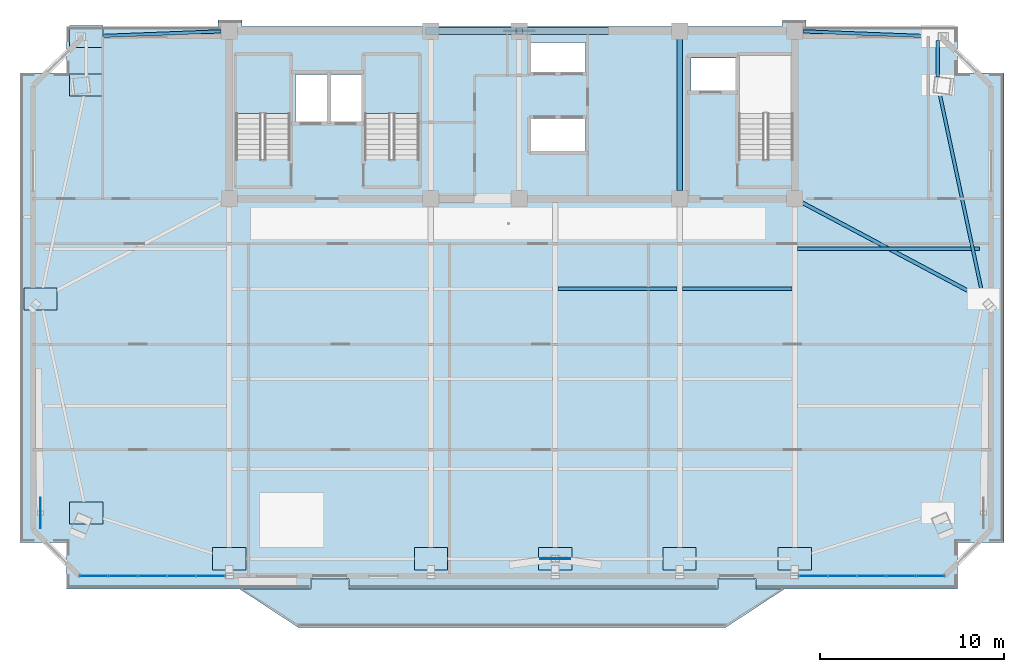
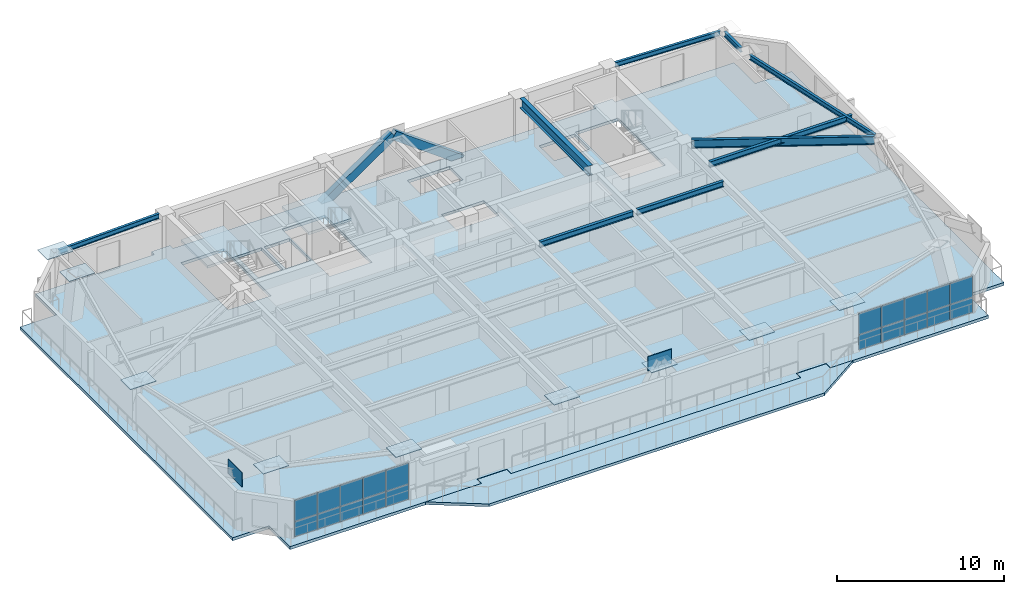
# One storey, part 7 of 15: 31 plates, 9 beams, 4 slabs, 2 members, 4 elements without a shape of their own.
"""IFC4 building model written with IfcOpenShell, lengths in metres."""

from ifc_helpers import new_model, si_unit, direction, frame, origin, origin_2d, place, context, subcontext, project, spatial, polyline, rectangle, hollow_rectangle, i_section, outline, extrude, source, transform, mapped, material, layer, layer_set, material_profile, profile_set, type_object, element, aggregate, save


model = new_model("IFC4")

# Units and contexts
model_context = context("Model", 3, precision=1e-05, world=origin(), true_north=direction((0.0, 1.0)))
body_context = subcontext(model_context, "Body", "Model", "MODEL_VIEW")
ifc_project = project(units=[si_unit("LENGTHUNIT", "METRE"), si_unit("AREAUNIT", "SQUARE_METRE"), si_unit("VOLUMEUNIT", "CUBIC_METRE"), si_unit("PLANEANGLEUNIT", "RADIAN"), si_unit("MASSUNIT", "GRAM", prefix="KILO")], contexts=[model_context])

# Site, building, storey
site_placement = place(None, origin())
site = spatial("IfcSite", under=ifc_project, at=site_placement, CompositionType="ELEMENT")
building_placement = place(site_placement, origin())
building = spatial("IfcBuilding", under=site, at=building_placement, Name="Giltprow Tower", CompositionType="ELEMENT")
storey_placement = place(building_placement, frame((0.0, 0.0, 275.699951171875)))
storey = spatial("IfcBuildingStorey", under=building, at=storey_placement, Name="L71", CompositionType="ELEMENT", Elevation=275.699951171875)

# Beams
ifc_material_1 = material(Name="Structural steel Q355B", Category="steel")
ifc_material_profile_1 = material_profile(ifc_material_1, i_section(OverallWidth=0.199951171875, OverallDepth=0.39990234375, WebThickness=0.008056640625, FlangeThickness=0.012939453125, at=origin_2d()), Name="HN 400x200x8x13")
ifc_profile_set_1 = profile_set([ifc_material_profile_1], Name="Structural steel Q355B")
beam_type_1 = type_object("IfcBeamType", Name="BM-JOIST-HN400", PredefinedType="JOIST", material=ifc_profile_set_1)
shared_shape_1 = source(origin(), body_context, "Body", "SweptSolid", [
    extrude(i_section(OverallWidth=0.199951171875, OverallDepth=0.39990234375, WebThickness=0.008056640625, FlangeThickness=0.012939453125, at=origin_2d()), origin(), (0.0, 0.0, 1.0), 6.4599609375),
])
beam_1_placement = place(storey_placement, frame((37.695068359375, 32.56494140625, 2.93994140625), z_axis=(1.0, 0.0, 0.0), x_axis=(0.0, 1.0, 0.0)))
element("IfcBeam", 1, at=beam_1_placement, inside=storey, type_object=beam_type_1, Name="L71 Composite Floor Joist 3-3", PredefinedType="JOIST", context=body_context, shape_type="MappedRepresentation", body=[
    mapped(shared_shape_1, transform((0.0, 0.0, 0.0), x_axis=(1.0, 0.0, 0.0), y_axis=(0.0, 1.0, 0.0), z_axis=(0.0, 0.0, 1.0), scale=1.0)),
])
shared_shape_2 = source(origin(), body_context, "Body", "SweptSolid", [
    extrude(i_section(OverallWidth=0.199951171875, OverallDepth=0.39990234375, WebThickness=0.008056640625, FlangeThickness=0.012939453125, at=origin_2d()), origin(), (0.0, 0.0, 1.0), 5.9599609375),
])
beam_2_placement = place(storey_placement, frame((44.445068359375, 32.56494140625, 2.93994140625), z_axis=(1.0, 0.0, 0.0), x_axis=(0.0, 1.0, 0.0)))
element("IfcBeam", 2, at=beam_2_placement, inside=storey, type_object=beam_type_1, Name="L71 Composite Floor Joist 3-4", PredefinedType="JOIST", context=body_context, shape_type="MappedRepresentation", body=[
    mapped(shared_shape_2, transform((0.0, 0.0, 0.0), x_axis=(1.0, 0.0, 0.0), y_axis=(0.0, 1.0, 0.0), z_axis=(0.0, 0.0, 1.0), scale=1.0)),
])
ifc_material_profile_2 = material_profile(ifc_material_1, i_section(OverallWidth=0.300048828125, OverallDepth=0.699951171875, WebThickness=0.012939453125, FlangeThickness=0.02392578125, at=origin_2d()), Name="HN 700x300x13x24")
ifc_profile_set_2 = profile_set([ifc_material_profile_2], Name="Structural steel Q355B")
beam_type_2 = type_object("IfcBeamType", Name="BM-GIRD-HN700", PredefinedType="BEAM", material=ifc_profile_set_2)
shared_shape_3 = source(origin(), body_context, "Body", "SweptSolid", [
    extrude(i_section(OverallWidth=0.300048828125, OverallDepth=0.699951171875, WebThickness=0.012939453125, FlangeThickness=0.02392578125, at=origin_2d()), origin(), (0.0, 0.0, 1.0), 8.22998046875),
])
beam_3_placement = place(storey_placement, frame((44.300048828125, 37.885009765625, 2.7900390625), z_axis=(0.0, 1.0, 0.0), x_axis=(-1.0, 0.0, 0.0)))
element("IfcBeam", 3, at=beam_3_placement, inside=storey, type_object=beam_type_2, Name="L71 Core Tie Girder M3", PredefinedType="BEAM", context=body_context, shape_type="MappedRepresentation", body=[
    mapped(shared_shape_3, transform((0.0, 0.0, 0.0), x_axis=(1.0, 0.0, 0.0), y_axis=(0.0, 1.0, 0.0), z_axis=(0.0, 0.0, 1.0), scale=1.0)),
])
ifc_material_profile_3 = material_profile(ifc_material_1, i_section(OverallWidth=0.175048828125, OverallDepth=0.35009765625, WebThickness=0.007080078125, FlangeThickness=0.010986328125, at=origin_2d()), Name="HN 350x175x7x11")
ifc_profile_set_3 = profile_set([ifc_material_profile_3], Name="Structural steel Q355B")
beam_type_3 = type_object("IfcBeamType", Name="BM-SPAN-HN350", PredefinedType="SPANDREL", material=ifc_profile_set_3)
shared_shape_4 = source(origin(), body_context, "Body", "SweptSolid", [
    extrude(i_section(OverallWidth=0.175048828125, OverallDepth=0.35009765625, WebThickness=0.007080078125, FlangeThickness=0.010986328125, at=origin_2d()), origin(), (0.0, 0.0, 1.0), 11.23486328125),
])
beam_4_placement = place(storey_placement, frame((60.7470703125, 32.208984375, 2.965087890625), z_axis=(-0.208461937022, 0.978030480513, 0.0), x_axis=(-0.978030480513, -0.208461937022, 0.0)))
element("IfcBeam", 4, at=beam_4_placement, inside=storey, type_object=beam_type_3, Name="L71 Perimeter Spandrel Beam E_MID-MC_NE", PredefinedType="SPANDREL", context=body_context, shape_type="MappedRepresentation", body=[
    mapped(shared_shape_4, transform((0.0, 0.0, 0.0), x_axis=(1.0, 0.0, 0.0), y_axis=(0.0, 1.0, 0.0), z_axis=(0.0, 0.0, 1.0), scale=1.0)),
])
shared_shape_5 = source(origin(), body_context, "Body", "SweptSolid", [
    extrude(i_section(OverallWidth=0.175048828125, OverallDepth=0.35009765625, WebThickness=0.007080078125, FlangeThickness=0.010986328125, at=origin_2d()), origin(), (0.0, 0.0, 1.0), 1.983154296875),
])
beam_5_placement = place(storey_placement, frame((58.31396484375, 44.056884765625, 2.965087890625), z_axis=(0.0, 1.0, 0.0), x_axis=(-1.0, 0.0, 0.0)))
element("IfcBeam", 5, at=beam_5_placement, inside=storey, type_object=beam_type_3, Name="L71 Perimeter Spandrel Beam MC_NE-N_E", PredefinedType="SPANDREL", context=body_context, shape_type="MappedRepresentation", body=[
    mapped(shared_shape_5, transform((0.0, 0.0, 0.0), x_axis=(1.0, 0.0, 0.0), y_axis=(0.0, 1.0, 0.0), z_axis=(0.0, 0.0, 1.0), scale=1.0)),
])
shared_shape_6 = source(origin(), body_context, "Body", "SweptSolid", [
    extrude(i_section(OverallWidth=0.175048828125, OverallDepth=0.35009765625, WebThickness=0.007080078125, FlangeThickness=0.010986328125, at=origin_2d()), origin(), (0.0, 0.0, 1.0), 7.12451171875),
])
beam_6_placement = place(storey_placement, frame((12.2958984375, 46.258056640625, 2.965087890625), z_axis=(0.999255291346, 0.038585783884, 0.0), x_axis=(-0.038585783884, 0.999255291346, 0.0)))
element("IfcBeam", 6, at=beam_6_placement, inside=storey, type_object=beam_type_3, Name="L71 North Wing Spandrel W", PredefinedType="SPANDREL", context=body_context, shape_type="MappedRepresentation", body=[
    mapped(shared_shape_6, transform((0.0, 0.0, 0.0), x_axis=(1.0, 0.0, 0.0), y_axis=(0.0, 1.0, 0.0), z_axis=(0.0, 0.0, 1.0), scale=1.0)),
])
shared_shape_7 = source(origin(), body_context, "Body", "SweptSolid", [
    extrude(i_section(OverallWidth=0.175048828125, OverallDepth=0.35009765625, WebThickness=0.007080078125, FlangeThickness=0.010986328125, at=origin_2d()), origin(), (0.0, 0.0, 1.0), 7.124267578125),
])
beam_7_placement = place(storey_placement, frame((50.985107421875, 46.532958984375, 2.965087890625), z_axis=(0.999255240323, -0.038587105203, 0.0), x_axis=(0.038587105203, 0.999255240323, 0.0)))
element("IfcBeam", 7, at=beam_7_placement, inside=storey, type_object=beam_type_3, Name="L71 North Wing Spandrel E", PredefinedType="SPANDREL", context=body_context, shape_type="MappedRepresentation", body=[
    mapped(shared_shape_7, transform((0.0, 0.0, 0.0), x_axis=(1.0, 0.0, 0.0), y_axis=(0.0, 1.0, 0.0), z_axis=(0.0, 0.0, 1.0), scale=1.0)),
])
ifc_material_profile_4 = material_profile(ifc_material_1, i_section(OverallWidth=0.199951171875, OverallDepth=0.60009765625, WebThickness=0.010986328125, FlangeThickness=0.01708984375, at=origin_2d()), Name="HN 600x200x11x17")
ifc_profile_set_4 = profile_set([ifc_material_profile_4], Name="Structural steel Q355B")
beam_type_4 = type_object("IfcBeamType", Name="BM-GIRD-HN600", PredefinedType="BEAM", material=ifc_profile_set_4)
shared_shape_8 = source(origin(), body_context, "Body", "SweptSolid", [
    extrude(i_section(OverallWidth=0.199951171875, OverallDepth=0.60009765625, WebThickness=0.010986328125, FlangeThickness=0.01708984375, at=origin_2d()), origin(), (0.0, 0.0, 1.0), 10.954345703125),
])
beam_8_placement = place(storey_placement, frame((60.60595703125, 32.10302734375, 2.840087890625), z_axis=(-0.882930970852, 0.469502822899, 0.0), x_axis=(-0.469502822899, -0.882930970852, 0.0)))
element("IfcBeam", 8, at=beam_8_placement, inside=storey, type_object=beam_type_4, Name="L71 East Wing Primary Girder", PredefinedType="BEAM", context=body_context, shape_type="MappedRepresentation", body=[
    mapped(shared_shape_8, transform((0.0, 0.0, 0.0), x_axis=(1.0, 0.0, 0.0), y_axis=(0.0, 1.0, 0.0), z_axis=(0.0, 0.0, 1.0), scale=1.0)),
])
shared_shape_9 = source(origin(), body_context, "Body", "SweptSolid", [
    extrude(i_section(OverallWidth=0.199951171875, OverallDepth=0.39990234375, WebThickness=0.008056640625, FlangeThickness=0.012939453125, at=origin_2d()), origin(), (0.0, 0.0, 1.0), 9.8759765625),
])
beam_9_placement = place(storey_placement, frame((50.695068359375, 34.72705078125, 2.93994140625), z_axis=(1.0, 0.0, 0.0), x_axis=(0.0, 1.0, 0.0)))
element("IfcBeam", 9, at=beam_9_placement, inside=storey, type_object=beam_type_1, Name="L71 East Wing Floor Joist 2", PredefinedType="JOIST", context=body_context, shape_type="MappedRepresentation", body=[
    mapped(shared_shape_9, transform((0.0, 0.0, 0.0), x_axis=(1.0, 0.0, 0.0), y_axis=(0.0, 1.0, 0.0), z_axis=(0.0, 0.0, 1.0), scale=1.0)),
])

# Members
ifc_material_2 = material(Name="Structural steel Q420GJC", Category="steel")
ifc_material_profile_5 = material_profile(ifc_material_2, hollow_rectangle(XDim=0.39990234375, YDim=0.60009765625, WallThickness=0.028076171875, at=origin_2d()), Name="RHS 600x400x28")
ifc_profile_set_5 = profile_set([ifc_material_profile_5], Name="Structural steel Q420GJC")
member_type = type_object("IfcMemberType", Name="MBR-MEGA-RHS600", PredefinedType="BRACE", material=ifc_profile_set_5)
shared_shape_10 = source(origin(), body_context, "Body", "SweptSolid", [
    extrude(hollow_rectangle(XDim=0.39990234375, YDim=0.60009765625, WallThickness=0.028076171875, at=origin_2d()), origin(), (0.0, 0.0, 1.0), 5.774169921875),
])
member_1_placement = place(storey_placement, frame((40.26708984375, 46.550048828125, -0.139892578125), z_axis=(-0.808264093398, 0.0, 0.588820138348), x_axis=(0.0, -1.0, 0.0)))
element("IfcMember", 10, at=member_1_placement, inside=storey, type_object=member_type, Name="L71 Chevron Mega-Brace N-R", PredefinedType="BRACE", context=body_context, shape_type="MappedRepresentation", body=[
    mapped(shared_shape_10, transform((0.0, 0.0, 0.0), x_axis=(1.0, 0.0, 0.0), y_axis=(0.0, 1.0, 0.0), z_axis=(0.0, 0.0, 1.0), scale=1.0)),
])
shared_shape_11 = source(origin(), body_context, "Body", "SweptSolid", [
    extrude(hollow_rectangle(XDim=0.39990234375, YDim=0.60009765625, WallThickness=0.028076171875, at=origin_2d()), origin(), (0.0, 0.0, 1.0), 5.9912109375),
])
member_2_placement = place(storey_placement, frame((30.6669921875, 46.550048828125, -0.139892578125), z_axis=(0.823387435214, 0.0, 0.567479630941), x_axis=(0.0, 1.0, 0.0)))
element("IfcMember", 11, at=member_2_placement, inside=storey, type_object=member_type, Name="L71 Chevron Mega-Brace N-L", PredefinedType="BRACE", context=body_context, shape_type="MappedRepresentation", body=[
    mapped(shared_shape_11, transform((0.0, 0.0, 0.0), x_axis=(1.0, 0.0, 0.0), y_axis=(0.0, 1.0, 0.0), z_axis=(0.0, 0.0, 1.0), scale=1.0)),
])

# Slabs
ifc_material_3 = material(Name="Concrete C40", Category="concrete")
ifc_layer_1 = layer(ifc_material_3, 0.199951171875, Name="Concrete C40")
ifc_layer_set_1 = layer_set([ifc_layer_1], Name="Concrete C40")
slab_type_1 = type_object("IfcSlabType", Name="SLB-BALC-BRONZE-200", PredefinedType="FLOOR", material=ifc_layer_set_1)
slab_1_placement = place(storey_placement, frame((0.0, 0.0, -0.199951171875)))
element("IfcSlab", 12, at=slab_1_placement, inside=storey, type_object=slab_type_1, Name="L71 Bronze Prow Waterfront Balcony Slab", PredefinedType="FLOOR", context=body_context, shape_type="SweptSolid", body=[
    extrude(outline(polyline([(50.0, 16.27587890625), (46.800048828125, 14.176025390625), (23.60009765625, 14.176025390625), (20.39990234375, 16.27587890625), (24.280029296875, 16.27587890625), (24.280029296875, 16.77587890625), (26.320068359375, 16.77587890625), (26.320068359375, 16.27587890625), (46.3798828125, 16.27587890625), (46.3798828125, 16.77587890625), (48.419921875, 16.77587890625), (48.419921875, 16.27587890625), (50.0, 16.27587890625)])), origin(), (0.0, 0.0, 1.0), 0.199951171875),
])
ifc_layer_2 = layer(ifc_material_3, 0.215087890625, Name="Concrete C40")
ifc_layer_set_2 = layer_set([ifc_layer_2], Name="Concrete C40")
slab_type_2 = type_object("IfcSlabType", Name="SLB-RES-215", PredefinedType="FLOOR", material=ifc_layer_set_2)
slab_2_placement = place(storey_placement, frame((0.0, 0.0, -0.21484375)))
element("IfcSlab", 13, at=slab_2_placement, inside=storey, type_object=slab_type_2, Name="L71 Structural Composite Floor Slab", PredefinedType="FLOOR", context=body_context, shape_type="SweptSolid", body=[
    extrude(outline(polyline([(61.906982421875, 44.27587890625), (61.906982421875, 18.799072265625), (59.383056640625, 18.799072265625), (59.383056640625, 16.27587890625), (48.449951171875, 16.27587890625), (48.449951171875, 16.7958984375), (46.35009765625, 16.7958984375), (46.35009765625, 16.27587890625), (26.35009765625, 16.27587890625), (26.35009765625, 16.7958984375), (24.25, 16.7958984375), (24.25, 16.27587890625), (11.01708984375, 16.27587890625), (11.01708984375, 18.799072265625), (8.493896484375, 18.799072265625), (8.493896484375, 44.27587890625), (11.01708984375, 44.27587890625), (11.01708984375, 46.800048828125), (19.25, 46.800048828125), (19.25, 47.14990234375), (20.550048828125, 47.14990234375), (20.550048828125, 46.800048828125), (49.85009765625, 46.800048828125), (49.85009765625, 47.14990234375), (51.14990234375, 47.14990234375), (51.14990234375, 46.800048828125), (59.383056640625, 46.800048828125), (59.383056640625, 44.27587890625), (61.906982421875, 44.27587890625)]), holes=[polyline([(39.18994140625, 41.800048828125), (36.239990234375, 41.800048828125), (36.239990234375, 40.0), (39.18994140625, 40.0), (39.18994140625, 41.800048828125)]), polyline([(23.159912109375, 39.570068359375), (23.159912109375, 45.25), (20.199951171875, 45.25), (20.199951171875, 39.570068359375), (23.159912109375, 39.570068359375)]), polyline([(30.159912109375, 39.570068359375), (30.159912109375, 45.25), (27.199951171875, 45.25), (27.199951171875, 39.570068359375), (30.159912109375, 39.570068359375)]), polyline([(50.4599609375, 45.25), (47.5, 45.25), (47.5, 39.570068359375), (50.4599609375, 39.570068359375), (50.4599609375, 45.25)]), polyline([(25.169921875, 44.199951171875), (23.449951171875, 44.199951171875), (23.449951171875, 41.60009765625), (25.169921875, 41.60009765625), (25.169921875, 44.199951171875)]), polyline([(27.10009765625, 44.199951171875), (25.35009765625, 44.199951171875), (25.35009765625, 41.60009765625), (27.10009765625, 41.60009765625), (27.10009765625, 44.199951171875)]), polyline([(47.3798828125, 43.300048828125), (47.3798828125, 45.10009765625), (44.919921875, 45.10009765625), (44.919921875, 43.300048828125), (47.3798828125, 43.300048828125)]), polyline([(39.18994140625, 44.300048828125), (39.18994140625, 45.919921875), (36.239990234375, 45.919921875), (36.239990234375, 44.300048828125), (39.18994140625, 44.300048828125)])]), origin(), (0.0, 0.0, 1.0), 0.21484375),
])

# Stair, slab
stair_type_1 = type_object("IfcStairType", Name="STR-ST-1", PredefinedType="HALF_TURN_STAIR", material=ifc_material_3)
stair_1_placement = place(storey_placement, origin())
stair_1 = element("IfcStair", 14, at=stair_1_placement, inside=storey, type_object=stair_type_1, Name="L71 Core Exit Stair ST-1", PredefinedType="HALF_TURN_STAIR")
ifc_layer_3 = layer(ifc_material_3, 0.179931640625, Name="Concrete C40")
ifc_layer_set_3 = layer_set([ifc_layer_3], Name="Concrete C40")
slab_type_3 = type_object("IfcSlabType", Name="SLD-ST-1", PredefinedType="LANDING", material=ifc_layer_set_3)
slab_3_placement = place(storey_placement, frame((0.0, 0.0, 1.52001953125)))
slab_3 = element("IfcSlab", 15, at=slab_3_placement, type_object=slab_type_3, Name="ST-1 landing 1", PredefinedType="LANDING", context=body_context, shape_type="SweptSolid", body=[
    extrude(outline(polyline([(23.159912109375, 42.070068359375), (23.159912109375, 45.25), (20.199951171875, 45.25), (20.199951171875, 42.070068359375), (23.159912109375, 42.070068359375)])), origin(), (0.0, 0.0, 1.0), 0.179931640625),
])
aggregate(stair_1, [slab_3])

stair_type_2 = type_object("IfcStairType", Name="STR-ST-2", PredefinedType="HALF_TURN_STAIR", material=ifc_material_3)
stair_2_placement = place(storey_placement, origin())
stair_2 = element("IfcStair", 16, at=stair_2_placement, inside=storey, type_object=stair_type_2, Name="L71 Core Exit Stair ST-2", PredefinedType="HALF_TURN_STAIR")
ifc_layer_4 = layer(ifc_material_3, 0.18798828125, Name="Concrete C40")
ifc_layer_set_4 = layer_set([ifc_layer_4], Name="Concrete C40")
slab_type_4 = type_object("IfcSlabType", Name="SLD-ST-2", PredefinedType="LANDING", material=ifc_layer_set_4)
slab_4_placement = place(storey_placement, frame((0.0, 0.0, 1.511962890625)))
slab_4 = element("IfcSlab", 17, at=slab_4_placement, type_object=slab_type_4, Name="ST-2 landing 1", PredefinedType="LANDING", context=body_context, shape_type="SweptSolid", body=[
    extrude(outline(polyline([(30.159912109375, 42.070068359375), (30.159912109375, 45.25), (27.199951171875, 45.25), (27.199951171875, 42.070068359375), (30.159912109375, 42.070068359375)])), origin(), (0.0, 0.0, 1.0), 0.18798828125),
])
aggregate(stair_2, [slab_4])

# Plates
plate_type_1 = type_object("IfcPlateType", Name="PLT-NODE-CKN1", PredefinedType="USERDEFINED", material=ifc_material_2)
shared_shape_12 = source(origin(), body_context, "Body", "SweptSolid", [
    extrude(rectangle(XDim=1.800048828125, YDim=1.199951171875, at=origin_2d()), origin(), (0.0, 0.0, 1.0), 0.044921875),
])
for number, where, z_axis, x_axis, name in (
    (18, (12.0859375, 20.385009765625, 3.09765625), (0.0, 0.0, 1.0), (1.0, 0.0, 0.0), "CKN1 Column Taper Splice Node L71-MC_SW"),
    (19, (12.0859375, 43.6220703125, 3.09765625), (0.0, 0.0, 1.0), (1.0, 0.0, 0.0), "CKN1 Column Taper Splice Node L71-MC_NW"),
    (20, (19.85009765625, 17.907958984375, 3.09765625), (0.0, 0.0, 1.0), (1.0, 0.0, 0.0), "CKN1 Column Taper Splice Node L71-S1"),
    (21, (30.800048828125, 17.907958984375, 3.09765625), (0.0, 0.0, 1.0), (1.0, 0.0, 0.0), "CKN1 Column Taper Splice Node L71-S2"),
    (22, (37.550048828125, 17.907958984375, 3.09765625), (0.0, 0.0, 1.0), (1.0, 0.0, 0.0), "CKN1 Column Taper Splice Node L71-S_MID"),
    (23, (44.300048828125, 17.907958984375, 3.09765625), (0.0, 0.0, 1.0), (1.0, 0.0, 0.0), "CKN1 Column Taper Splice Node L71-S3"),
    (24, (50.550048828125, 17.907958984375, 3.09765625), (0.0, 0.0, 1.0), (1.0, 0.0, 0.0), "CKN1 Column Taper Splice Node L71-S4"),
    (25, (9.60888671875, 32.00390625, 3.09765625), (0.0, 0.0, 1.0), (1.0, 0.0, 0.0), "CKN1 Column Taper Splice Node L71-W_MID"),
    (26, (12.0859375, 46.25, 3.09765625), (0.0, 0.0, 1.0), (1.0, 0.0, 0.0), "CKN1 Column Taper Splice Node L71-N_W"),
):
    element("IfcPlate", number, at=place(storey_placement, frame(where, z_axis=z_axis, x_axis=x_axis)), inside=storey, type_object=plate_type_1, Name=name, ObjectType="SPLICE", PredefinedType="USERDEFINED", context=body_context, shape_type="MappedRepresentation", body=[
        mapped(shared_shape_12, transform((0.0, 0.0, 0.0), x_axis=(1.0, 0.0, 0.0), y_axis=(0.0, 1.0, 0.0), z_axis=(0.0, 0.0, 1.0), scale=1.0)),
    ])
plate_type_2 = type_object("IfcPlateType", Name="PLT-NODE-MBN2", PredefinedType="USERDEFINED", material=ifc_material_2)
shared_shape_13 = source(origin(), body_context, "Body", "SweptSolid", [
    extrude(rectangle(XDim=1.64990234375, YDim=0.044921875, at=origin_2d()), origin(), (0.0, 0.0, 1.0), 1.050048828125),
])
for number, where, z_axis, x_axis, name in (
    (27, (37.550048828125, 17.907958984375, 2.875), (0.0, 0.0, 1.0), (1.0, 0.0, 0.0), "Mega-Brace Node L71-S-LB"),
    (28, (9.60888671875, 20.385009765625, 2.875), (0.0, 0.0, 1.0), (0.0, 1.0, 0.0), "Mega-Brace Node L71-W-DB"),
):
    element("IfcPlate", number, at=place(storey_placement, frame(where, z_axis=z_axis, x_axis=x_axis)), inside=storey, type_object=plate_type_2, Name=name, ObjectType="GUSSET", PredefinedType="USERDEFINED", context=body_context, shape_type="MappedRepresentation", body=[
        mapped(shared_shape_13, transform((0.0, 0.0, 0.0), x_axis=(1.0, 0.0, 0.0), y_axis=(0.0, 1.0, 0.0), z_axis=(0.0, 0.0, 1.0), scale=1.0)),
    ])

# Curtain wall, plates
ifc_material_4 = material(Name="Anodized bronze", Category="metal")
ifc_layer_5 = layer(ifc_material_4, 0.179931640625, Name="Anodized bronze")
ifc_layer_set_5 = layer_set([ifc_layer_5], Name="Anodized bronze")
curtain_wall_type = type_object("IfcCurtainWallType", Name="CW-RES-SKY", PredefinedType="NOTDEFINED", material=ifc_layer_set_5)
curtain_wall_1_placement = place(storey_placement, origin())
curtain_wall_1 = element("IfcCurtainWall", 29, at=curtain_wall_1_placement, inside=storey, type_object=curtain_wall_type, Name="L71 South Recessed Curtain Wall 1", PredefinedType="NOTDEFINED")
ifc_material_5 = material(Name="Insulated glass", Category="glass")
plate_type_3 = type_object("IfcPlateType", Name="CW-PANEL-IGU-28", PredefinedType="CURTAIN_PANEL", material=ifc_material_5)
shared_shape_14 = source(origin(), body_context, "Body", "SweptSolid", [
    extrude(rectangle(XDim=1.552001953125, YDim=0.028076171875, at=origin_2d()), origin(), (0.0, 0.0, 1.0), 1.094970703125),
])
plate_1_placement = place(storey_placement, frame((12.508056640625, 16.97607421875, 0.0546875), z_axis=(0.0, 0.0, 1.0), x_axis=(1.0, 0.0, 0.0)))
plate_1 = element("IfcPlate", 30, at=plate_1_placement, type_object=plate_type_3, Name="L71 South Recessed Curtain Wall 1 Glazing Panel 1-1", PredefinedType="CURTAIN_PANEL", context=body_context, shape_type="MappedRepresentation", body=[
    mapped(shared_shape_14, transform((0.0, 0.0, 0.0), x_axis=(1.0, 0.0, 0.0), y_axis=(0.0, 1.0, 0.0), z_axis=(0.0, 0.0, 1.0), scale=1.0)),
])
plate_2_placement = place(storey_placement, frame((14.089111328125, 16.97607421875, 0.0546875), z_axis=(0.0, 0.0, 1.0), x_axis=(1.0, 0.0, 0.0)))
plate_2 = element("IfcPlate", 31, at=plate_2_placement, type_object=plate_type_3, Name="L71 South Recessed Curtain Wall 1 Glazing Panel 2-1", PredefinedType="CURTAIN_PANEL", context=body_context, shape_type="MappedRepresentation", body=[
    mapped(shared_shape_14, transform((0.0, 0.0, 0.0), x_axis=(1.0, 0.0, 0.0), y_axis=(0.0, 1.0, 0.0), z_axis=(0.0, 0.0, 1.0), scale=1.0)),
])
plate_3_placement = place(storey_placement, frame((15.6708984375, 16.97607421875, 0.0546875), z_axis=(0.0, 0.0, 1.0), x_axis=(1.0, 0.0, 0.0)))
plate_3 = element("IfcPlate", 32, at=plate_3_placement, type_object=plate_type_3, Name="L71 South Recessed Curtain Wall 1 Glazing Panel 3-1", PredefinedType="CURTAIN_PANEL", context=body_context, shape_type="MappedRepresentation", body=[
    mapped(shared_shape_14, transform((0.0, 0.0, 0.0), x_axis=(1.0, 0.0, 0.0), y_axis=(0.0, 1.0, 0.0), z_axis=(0.0, 0.0, 1.0), scale=1.0)),
])
plate_4_placement = place(storey_placement, frame((17.2529296875, 16.97607421875, 0.0546875), z_axis=(0.0, 0.0, 1.0), x_axis=(1.0, 0.0, 0.0)))
plate_4 = element("IfcPlate", 33, at=plate_4_placement, type_object=plate_type_3, Name="L71 South Recessed Curtain Wall 1 Glazing Panel 4-1", PredefinedType="CURTAIN_PANEL", context=body_context, shape_type="MappedRepresentation", body=[
    mapped(shared_shape_14, transform((0.0, 0.0, 0.0), x_axis=(1.0, 0.0, 0.0), y_axis=(0.0, 1.0, 0.0), z_axis=(0.0, 0.0, 1.0), scale=1.0)),
])
plate_5_placement = place(storey_placement, frame((18.833984375, 16.97607421875, 0.0546875), z_axis=(0.0, 0.0, 1.0), x_axis=(1.0, 0.0, 0.0)))
plate_5 = element("IfcPlate", 34, at=plate_5_placement, type_object=plate_type_3, Name="L71 South Recessed Curtain Wall 1 Glazing Panel 5-1", PredefinedType="CURTAIN_PANEL", context=body_context, shape_type="MappedRepresentation", body=[
    mapped(shared_shape_14, transform((0.0, 0.0, 0.0), x_axis=(1.0, 0.0, 0.0), y_axis=(0.0, 1.0, 0.0), z_axis=(0.0, 0.0, 1.0), scale=1.0)),
])

curtain_wall_2_placement = place(storey_placement, origin())
curtain_wall_2 = element("IfcCurtainWall", 35, at=curtain_wall_2_placement, inside=storey, type_object=curtain_wall_type, Name="L71 South Recessed Curtain Wall 6", PredefinedType="NOTDEFINED")
plate_6_placement = place(storey_placement, frame((51.56591796875, 16.97607421875, 0.0546875), z_axis=(0.0, 0.0, 1.0), x_axis=(1.0, 0.0, 0.0)))
plate_6 = element("IfcPlate", 36, at=plate_6_placement, type_object=plate_type_3, Name="L71 South Recessed Curtain Wall 6 Glazing Panel 1-1", PredefinedType="CURTAIN_PANEL", context=body_context, shape_type="MappedRepresentation", body=[
    mapped(shared_shape_14, transform((0.0, 0.0, 0.0), x_axis=(1.0, 0.0, 0.0), y_axis=(0.0, 1.0, 0.0), z_axis=(0.0, 0.0, 1.0), scale=1.0)),
])
plate_7_placement = place(storey_placement, frame((53.14794921875, 16.97607421875, 0.0546875), z_axis=(0.0, 0.0, 1.0), x_axis=(1.0, 0.0, 0.0)))
plate_7 = element("IfcPlate", 37, at=plate_7_placement, type_object=plate_type_3, Name="L71 South Recessed Curtain Wall 6 Glazing Panel 2-1", PredefinedType="CURTAIN_PANEL", context=body_context, shape_type="MappedRepresentation", body=[
    mapped(shared_shape_14, transform((0.0, 0.0, 0.0), x_axis=(1.0, 0.0, 0.0), y_axis=(0.0, 1.0, 0.0), z_axis=(0.0, 0.0, 1.0), scale=1.0)),
])
plate_8_placement = place(storey_placement, frame((54.72998046875, 16.97607421875, 0.0546875), z_axis=(0.0, 0.0, 1.0), x_axis=(1.0, 0.0, 0.0)))
plate_8 = element("IfcPlate", 38, at=plate_8_placement, type_object=plate_type_3, Name="L71 South Recessed Curtain Wall 6 Glazing Panel 3-1", PredefinedType="CURTAIN_PANEL", context=body_context, shape_type="MappedRepresentation", body=[
    mapped(shared_shape_14, transform((0.0, 0.0, 0.0), x_axis=(1.0, 0.0, 0.0), y_axis=(0.0, 1.0, 0.0), z_axis=(0.0, 0.0, 1.0), scale=1.0)),
])
plate_9_placement = place(storey_placement, frame((56.31103515625, 16.97607421875, 0.0546875), z_axis=(0.0, 0.0, 1.0), x_axis=(1.0, 0.0, 0.0)))
plate_9 = element("IfcPlate", 39, at=plate_9_placement, type_object=plate_type_3, Name="L71 South Recessed Curtain Wall 6 Glazing Panel 4-1", PredefinedType="CURTAIN_PANEL", context=body_context, shape_type="MappedRepresentation", body=[
    mapped(shared_shape_14, transform((0.0, 0.0, 0.0), x_axis=(1.0, 0.0, 0.0), y_axis=(0.0, 1.0, 0.0), z_axis=(0.0, 0.0, 1.0), scale=1.0)),
])
plate_10_placement = place(storey_placement, frame((57.89306640625, 16.97607421875, 0.0546875), z_axis=(0.0, 0.0, 1.0), x_axis=(1.0, 0.0, 0.0)))
plate_10 = element("IfcPlate", 40, at=plate_10_placement, type_object=plate_type_3, Name="L71 South Recessed Curtain Wall 6 Glazing Panel 5-1", PredefinedType="CURTAIN_PANEL", context=body_context, shape_type="MappedRepresentation", body=[
    mapped(shared_shape_14, transform((0.0, 0.0, 0.0), x_axis=(1.0, 0.0, 0.0), y_axis=(0.0, 1.0, 0.0), z_axis=(0.0, 0.0, 1.0), scale=1.0)),
])

# Plate
shared_shape_15 = source(origin(), body_context, "Body", "SweptSolid", [
    extrude(rectangle(XDim=1.552001953125, YDim=0.028076171875, at=origin_2d()), origin(), (0.0, 0.0, 1.0), 1.5390625),
])
plate_11_placement = place(storey_placement, frame((12.508056640625, 16.97607421875, 1.177490234375), z_axis=(0.0, 0.0, 1.0), x_axis=(1.0, 0.0, 0.0)))
plate_11 = element("IfcPlate", 41, at=plate_11_placement, type_object=plate_type_3, Name="L71 South Recessed Curtain Wall 1 Glazing Panel 1-2", PredefinedType="CURTAIN_PANEL", context=body_context, shape_type="MappedRepresentation", body=[
    mapped(shared_shape_15, transform((0.0, 0.0, 0.0), x_axis=(1.0, 0.0, 0.0), y_axis=(0.0, 1.0, 0.0), z_axis=(0.0, 0.0, 1.0), scale=1.0)),
])

plate_12_placement = place(storey_placement, frame((14.089111328125, 16.97607421875, 1.177490234375), z_axis=(0.0, 0.0, 1.0), x_axis=(1.0, 0.0, 0.0)))
plate_12 = element("IfcPlate", 42, at=plate_12_placement, type_object=plate_type_3, Name="L71 South Recessed Curtain Wall 1 Glazing Panel 2-2", PredefinedType="CURTAIN_PANEL", context=body_context, shape_type="MappedRepresentation", body=[
    mapped(shared_shape_15, transform((0.0, 0.0, 0.0), x_axis=(1.0, 0.0, 0.0), y_axis=(0.0, 1.0, 0.0), z_axis=(0.0, 0.0, 1.0), scale=1.0)),
])

plate_13_placement = place(storey_placement, frame((15.6708984375, 16.97607421875, 1.177490234375), z_axis=(0.0, 0.0, 1.0), x_axis=(1.0, 0.0, 0.0)))
plate_13 = element("IfcPlate", 43, at=plate_13_placement, type_object=plate_type_3, Name="L71 South Recessed Curtain Wall 1 Glazing Panel 3-2", PredefinedType="CURTAIN_PANEL", context=body_context, shape_type="MappedRepresentation", body=[
    mapped(shared_shape_15, transform((0.0, 0.0, 0.0), x_axis=(1.0, 0.0, 0.0), y_axis=(0.0, 1.0, 0.0), z_axis=(0.0, 0.0, 1.0), scale=1.0)),
])

plate_14_placement = place(storey_placement, frame((17.2529296875, 16.97607421875, 1.177490234375), z_axis=(0.0, 0.0, 1.0), x_axis=(1.0, 0.0, 0.0)))
plate_14 = element("IfcPlate", 44, at=plate_14_placement, type_object=plate_type_3, Name="L71 South Recessed Curtain Wall 1 Glazing Panel 4-2", PredefinedType="CURTAIN_PANEL", context=body_context, shape_type="MappedRepresentation", body=[
    mapped(shared_shape_15, transform((0.0, 0.0, 0.0), x_axis=(1.0, 0.0, 0.0), y_axis=(0.0, 1.0, 0.0), z_axis=(0.0, 0.0, 1.0), scale=1.0)),
])

plate_15_placement = place(storey_placement, frame((18.833984375, 16.97607421875, 1.177490234375), z_axis=(0.0, 0.0, 1.0), x_axis=(1.0, 0.0, 0.0)))
plate_15 = element("IfcPlate", 45, at=plate_15_placement, type_object=plate_type_3, Name="L71 South Recessed Curtain Wall 1 Glazing Panel 5-2", PredefinedType="CURTAIN_PANEL", context=body_context, shape_type="MappedRepresentation", body=[
    mapped(shared_shape_15, transform((0.0, 0.0, 0.0), x_axis=(1.0, 0.0, 0.0), y_axis=(0.0, 1.0, 0.0), z_axis=(0.0, 0.0, 1.0), scale=1.0)),
])

aggregate(curtain_wall_1, [plate_1, plate_11, plate_2, plate_12, plate_3, plate_13, plate_4, plate_14, plate_5, plate_15])

plate_16_placement = place(storey_placement, frame((51.56591796875, 16.97607421875, 1.177490234375), z_axis=(0.0, 0.0, 1.0), x_axis=(1.0, 0.0, 0.0)))
plate_16 = element("IfcPlate", 46, at=plate_16_placement, type_object=plate_type_3, Name="L71 South Recessed Curtain Wall 6 Glazing Panel 1-2", PredefinedType="CURTAIN_PANEL", context=body_context, shape_type="MappedRepresentation", body=[
    mapped(shared_shape_15, transform((0.0, 0.0, 0.0), x_axis=(1.0, 0.0, 0.0), y_axis=(0.0, 1.0, 0.0), z_axis=(0.0, 0.0, 1.0), scale=1.0)),
])

plate_17_placement = place(storey_placement, frame((53.14794921875, 16.97607421875, 1.177490234375), z_axis=(0.0, 0.0, 1.0), x_axis=(1.0, 0.0, 0.0)))
plate_17 = element("IfcPlate", 47, at=plate_17_placement, type_object=plate_type_3, Name="L71 South Recessed Curtain Wall 6 Glazing Panel 2-2", PredefinedType="CURTAIN_PANEL", context=body_context, shape_type="MappedRepresentation", body=[
    mapped(shared_shape_15, transform((0.0, 0.0, 0.0), x_axis=(1.0, 0.0, 0.0), y_axis=(0.0, 1.0, 0.0), z_axis=(0.0, 0.0, 1.0), scale=1.0)),
])

plate_18_placement = place(storey_placement, frame((54.72998046875, 16.97607421875, 1.177490234375), z_axis=(0.0, 0.0, 1.0), x_axis=(1.0, 0.0, 0.0)))
plate_18 = element("IfcPlate", 48, at=plate_18_placement, type_object=plate_type_3, Name="L71 South Recessed Curtain Wall 6 Glazing Panel 3-2", PredefinedType="CURTAIN_PANEL", context=body_context, shape_type="MappedRepresentation", body=[
    mapped(shared_shape_15, transform((0.0, 0.0, 0.0), x_axis=(1.0, 0.0, 0.0), y_axis=(0.0, 1.0, 0.0), z_axis=(0.0, 0.0, 1.0), scale=1.0)),
])

plate_19_placement = place(storey_placement, frame((56.31103515625, 16.97607421875, 1.177490234375), z_axis=(0.0, 0.0, 1.0), x_axis=(1.0, 0.0, 0.0)))
plate_19 = element("IfcPlate", 49, at=plate_19_placement, type_object=plate_type_3, Name="L71 South Recessed Curtain Wall 6 Glazing Panel 4-2", PredefinedType="CURTAIN_PANEL", context=body_context, shape_type="MappedRepresentation", body=[
    mapped(shared_shape_15, transform((0.0, 0.0, 0.0), x_axis=(1.0, 0.0, 0.0), y_axis=(0.0, 1.0, 0.0), z_axis=(0.0, 0.0, 1.0), scale=1.0)),
])

plate_20_placement = place(storey_placement, frame((57.89306640625, 16.97607421875, 1.177490234375), z_axis=(0.0, 0.0, 1.0), x_axis=(1.0, 0.0, 0.0)))
plate_20 = element("IfcPlate", 50, at=plate_20_placement, type_object=plate_type_3, Name="L71 South Recessed Curtain Wall 6 Glazing Panel 5-2", PredefinedType="CURTAIN_PANEL", context=body_context, shape_type="MappedRepresentation", body=[
    mapped(shared_shape_15, transform((0.0, 0.0, 0.0), x_axis=(1.0, 0.0, 0.0), y_axis=(0.0, 1.0, 0.0), z_axis=(0.0, 0.0, 1.0), scale=1.0)),
])

aggregate(curtain_wall_2, [plate_6, plate_16, plate_7, plate_17, plate_8, plate_18, plate_9, plate_19, plate_10, plate_20])

save(model, "model.ifc")
